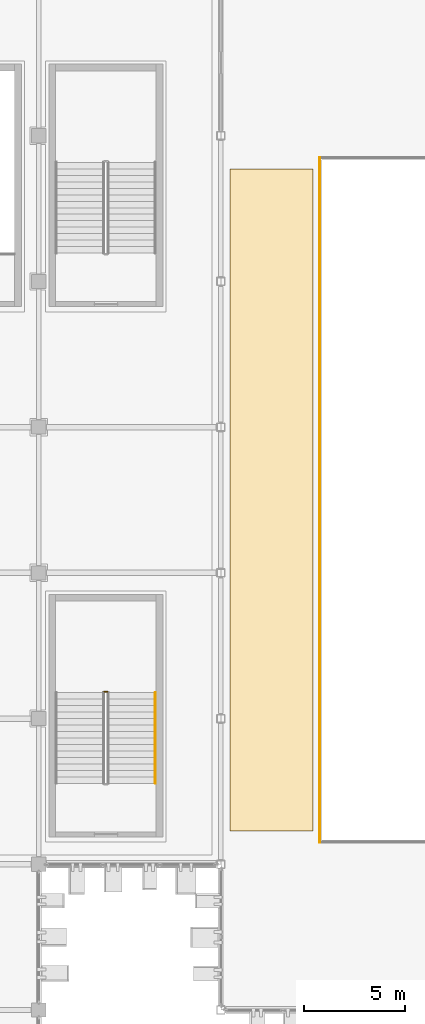
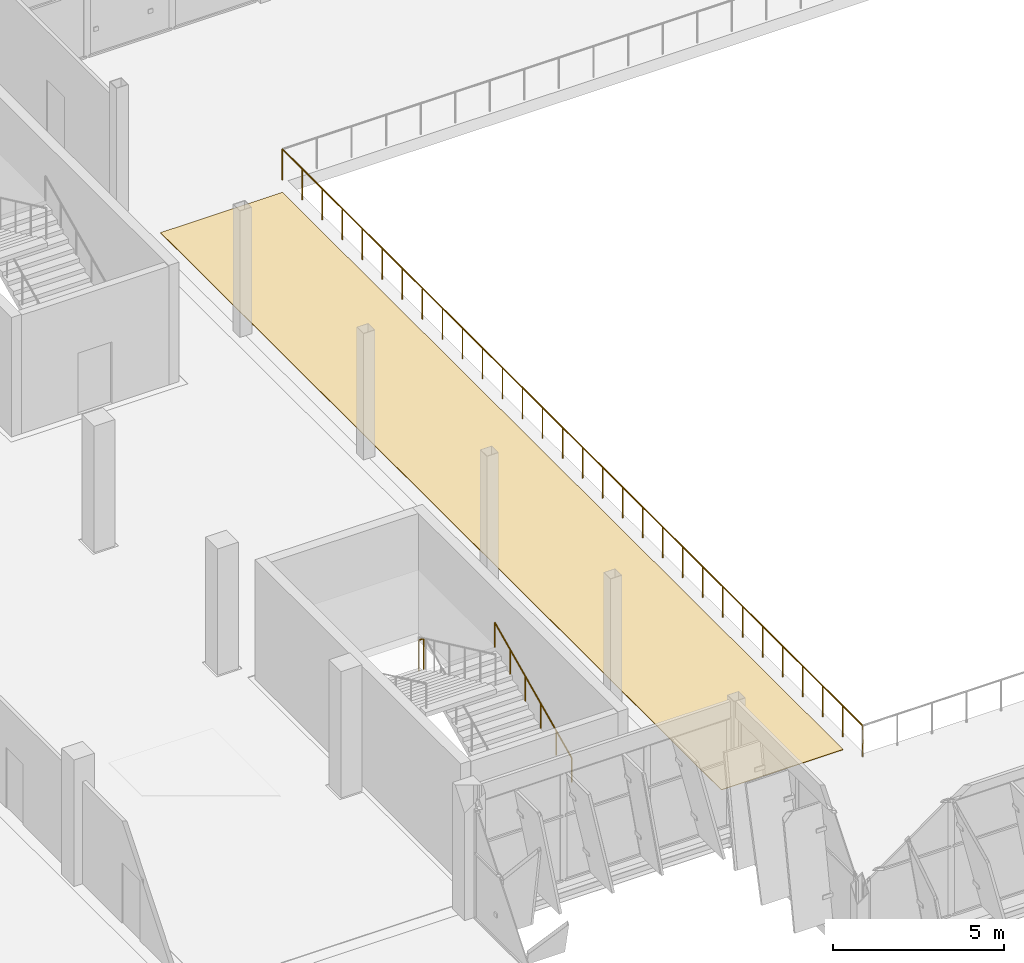
# One storey, part 146 of 151: 3 railings, 1 covering.
"""IFC4 building model written with IfcOpenShell, lengths in metres."""

import ifcopenshell
import ifcopenshell.guid

model = None  # the IFC model being written
_history = None  # IfcOwnerHistory: only IFC2X3 demands one
_inside = {}  # id of a spatial element -> (the spatial element, [elements in it])
_under = {}  # id of a project, library or spatial element -> (it, [spatial elements below it])
_declared = {}  # id of a project -> (the project, [libraries it declares])
_typed = {}  # id of a type object -> (the type object, [elements of that type])
_made_of = {}  # id of a material, layer set ... -> (it, [elements and type objects made of it])


def new_model(schema):
    """Start an empty IFC model of exactly this schema.

    Asked for "IFC4X3", IfcOpenShell would pick the latest addendum, in which some entities
    have other attributes; the version numbers below select the first issue.
    IFC2X3 requires an IfcOwnerHistory on every rooted entity: one is made here for all.
    """
    global model, _history
    if schema == "IFC4X3":
        model = ifcopenshell.file(schema_version=(4, 3, 0, 0))
    else:
        model = ifcopenshell.file(schema=schema)
    _inside.clear()
    _under.clear()
    _declared.clear()
    _typed.clear()
    _made_of.clear()
    _history = None
    if model.schema == "IFC2X3":
        org = make("IfcOrganization", Name="unknown")
        user = make(
            "IfcPersonAndOrganization",
            ThePerson=make("IfcPerson", FamilyName="unknown"),
            TheOrganization=org,
        )
        app = make(
            "IfcApplication",
            ApplicationDeveloper=org,
            Version="unknown",
            ApplicationFullName="unknown",
            ApplicationIdentifier="unknown",
        )
        _history = make(
            "IfcOwnerHistory",
            OwningUser=user,
            OwningApplication=app,
            ChangeAction="ADDED",
            CreationDate=0,
        )
    return model


def make(cls, **values):
    """One entity of the class cls with the attributes given. An attribute that is None is left unset."""
    return model.create_entity(
        cls, **{name: value for name, value in values.items() if value is not None}
    )


def rooted(cls, **values):
    """An entity with a GlobalId (a new one), such as an element, a storey or a relation."""
    return make(cls, GlobalId=ifcopenshell.guid.new(), OwnerHistory=_history, **values)


def si_unit(unit_type, name, prefix=None):
    """IfcSIUnit, for example si_unit("LENGTHUNIT", "METRE", prefix="MILLI")."""
    return make("IfcSIUnit", UnitType=unit_type, Prefix=prefix, Name=name)


def assignment(units):
    """IfcUnitAssignment: the units of a project."""
    return None if units is None else make("IfcUnitAssignment", Units=units)


def point(xyz):
    """IfcCartesianPoint."""
    return None if xyz is None else make("IfcCartesianPoint", Coordinates=xyz)


def direction(xyz):
    """IfcDirection."""
    return None if xyz is None else make("IfcDirection", DirectionRatios=xyz)


def frame(location, z_axis=None, x_axis=None):
    """IfcAxis2Placement3D, a coordinate frame: its origin and axes. An axis left out is left unset."""
    return make(
        "IfcAxis2Placement3D",
        Location=point(location),
        Axis=direction(z_axis),
        RefDirection=direction(x_axis),
    )


def frame_2d(location, x_axis=None):
    """IfcAxis2Placement2D, a coordinate frame in the plane: its origin and x axis."""
    return make(
        "IfcAxis2Placement2D", Location=point(location), RefDirection=direction(x_axis)
    )


def origin():
    """The frame at (0, 0, 0) with its axes left unset."""
    return frame((0.0, 0.0, 0.0))


def origin_2d():
    """The frame at (0, 0) in the plane with its x axis left unset."""
    return frame_2d((0.0, 0.0))


def place(relative_to, where):
    """IfcLocalPlacement: puts the frame where relative to a parent placement (None: the world)."""
    return make(
        "IfcLocalPlacement", PlacementRelTo=relative_to, RelativePlacement=where
    )


def context(
    kind, dimensions, precision=None, world=None, true_north=None, identifier=None
):
    """IfcGeometricRepresentationContext, for example the 3D "Model" context."""
    return make(
        "IfcGeometricRepresentationContext",
        ContextIdentifier=identifier,
        ContextType=kind,
        CoordinateSpaceDimension=dimensions,
        Precision=precision,
        WorldCoordinateSystem=world,
        TrueNorth=true_north,
    )


def subcontext(parent, identifier, kind, view, scale=None):
    """IfcGeometricRepresentationSubContext, for example "Body" below "Model"."""
    return make(
        "IfcGeometricRepresentationSubContext",
        ContextIdentifier=identifier,
        ContextType=kind,
        ParentContext=parent,
        TargetScale=scale,
        TargetView=view,
    )


def project(units=None, contexts=None):
    """IfcProject with its units and contexts."""
    return rooted(
        "IfcProject",
        Name="project",
        RepresentationContexts=contexts,
        UnitsInContext=assignment(units),
    )


def spatial(cls, under=None, at=None, **own):
    """A site, building, storey or space (cls), placed at a placement, below another one or the project."""
    s = rooted(cls, ObjectPlacement=at, **own)
    if under is not None:
        _under.setdefault(under.id(), (under, []))[1].append(s)
    return s


def polyline(points):
    """IfcPolyline through the points."""
    return make("IfcPolyline", Points=[point(p) for p in points])


def profile(cls, at=None, kind="AREA", **sizes):
    """A parametric profile (cls). Its sizes go by their IFC names, for example OverallWidth=200.0."""
    return make(cls, ProfileType=kind, Position=at, **sizes)


def circle(**sizes):
    """IfcCircleProfileDef."""
    return profile("IfcCircleProfileDef", **sizes)


def outline(outer, holes=None, kind="AREA"):
    """IfcArbitraryClosedProfileDef: a profile drawn as a closed curve; with holes, ...WithVoids."""
    if holes is None:
        return make("IfcArbitraryClosedProfileDef", ProfileType=kind, OuterCurve=outer)
    return make(
        "IfcArbitraryProfileDefWithVoids",
        ProfileType=kind,
        OuterCurve=outer,
        InnerCurves=holes,
    )


def extrude(swept, where, along, depth):
    """IfcExtrudedAreaSolid: the profile swept, set in the frame where, extruded along a direction by depth."""
    return make(
        "IfcExtrudedAreaSolid",
        SweptArea=swept,
        Position=where,
        ExtrudedDirection=direction(along),
        Depth=depth,
    )


def shape(context_of_items, identifier, shape_type, items):
    """IfcShapeRepresentation: the items that make up one representation, for example the "Body"."""
    return make(
        "IfcShapeRepresentation",
        ContextOfItems=context_of_items,
        RepresentationIdentifier=identifier,
        RepresentationType=shape_type,
        Items=items,
    )


def material(Name=None, Category=None):
    """IfcMaterial."""
    return make("IfcMaterial", Name=Name, Category=Category)


def layer(
    of_material, thickness, ventilated=None, Name=None, Category=None, Priority=None
):
    """IfcMaterialLayer: one layer of a wall or slab, of a material (None: an air gap)."""
    return make(
        "IfcMaterialLayer",
        Material=of_material,
        LayerThickness=thickness,
        IsVentilated=ventilated,
        Name=Name,
        Category=Category,
        Priority=Priority,
    )


def layer_set(layers, Name=None):
    """IfcMaterialLayerSet."""
    return make("IfcMaterialLayerSet", MaterialLayers=layers, LayerSetName=Name)


def made_of(thing, what):
    """Note that an element or type object is made of a material, layer set ...; save() writes the relation."""
    if what is not None:
        _made_of.setdefault(what.id(), (what, []))[1].append(thing)
    return thing


def type_object(cls, material=None, **own):
    """A type object (cls), such as IfcWallType, which elements share."""
    return made_of(rooted(cls, **own), material)


def element(
    cls,
    number,
    at=None,
    inside=None,
    cuts=None,
    type_object=None,
    material=None,
    context=None,
    identifier="Body",
    shape_type=None,
    held_by="IfcProductDefinitionShape",
    body=None,
    shapes=None,
    **own,
):
    """One element of the class cls, such as IfcWall. Its Tag is "e" and its number.

    at: its placement. inside: the storey or other place that contains it. cuts: it is an
    opening in that element (IfcRelVoidsElement). A single representation is given by context,
    identifier, shape_type and body (its items); several are given by shapes. held_by: the class
    of the entity that holds the representations. save() writes the other relations.
    """
    e = rooted(cls, Tag="e%d" % number, ObjectPlacement=at, **own)
    if body is not None:
        shapes = [shape(context, identifier, shape_type, body)]
    if shapes is not None:
        e.Representation = make(held_by, Representations=shapes)
    if inside is not None:
        _inside.setdefault(inside.id(), (inside, []))[1].append(e)
    if cuts is not None:
        rooted(
            "IfcRelVoidsElement", RelatingBuildingElement=cuts, RelatedOpeningElement=e
        )
    if type_object is not None:
        _typed.setdefault(type_object.id(), (type_object, []))[1].append(e)
    return made_of(e, material)


def aggregate(whole, parts):
    """IfcRelAggregates: a whole, such as a stair, and the parts it consists of."""
    return rooted("IfcRelAggregates", RelatingObject=whole, RelatedObjects=parts)


def save(model, path):
    """Write the relations noted so far, then the file.

    IfcRelAggregates (storeys below a building ...), IfcRelContainedInSpatialStructure (elements
    in a storey), IfcRelDefinesByType, IfcRelAssociatesMaterial and IfcRelDeclares: one each for
    every whole, place, type object, material and project.
    """
    for whole, parts in _under.values():
        aggregate(whole, parts)
    for where, things in _inside.values():
        rooted(
            "IfcRelContainedInSpatialStructure",
            RelatedElements=things,
            RelatingStructure=where,
        )
    for kind, things in _typed.values():
        rooted("IfcRelDefinesByType", RelatedObjects=things, RelatingType=kind)
    for what, things in _made_of.values():
        rooted("IfcRelAssociatesMaterial", RelatedObjects=things, RelatingMaterial=what)
    for by, libraries in _declared.values():
        rooted("IfcRelDeclares", RelatingContext=by, RelatedDefinitions=libraries)
    model.write(path)


model = new_model("IFC4")

# Units and contexts
model_context = context("Model", 3, precision=1e-05, world=origin(), true_north=direction((0.0, 1.0)))
body_context = subcontext(model_context, "Body", "Model", "MODEL_VIEW")
ifc_project = project(units=[si_unit("LENGTHUNIT", "METRE"), si_unit("AREAUNIT", "SQUARE_METRE"), si_unit("VOLUMEUNIT", "CUBIC_METRE"), si_unit("PLANEANGLEUNIT", "RADIAN"), si_unit("MASSUNIT", "GRAM", prefix="KILO")], contexts=[model_context])

# Site, building, storey
site_placement = place(None, origin())
site = spatial("IfcSite", under=ifc_project, at=site_placement, CompositionType="ELEMENT")
building_placement = place(site_placement, origin())
building = spatial("IfcBuilding", under=site, at=building_placement, Name="Celestram Park Convention Centre", CompositionType="ELEMENT")
storey_placement = place(building_placement, frame((0.0, 0.0, 10.800048828125)))
storey = spatial("IfcBuildingStorey", under=building, at=storey_placement, Name="L02", CompositionType="ELEMENT", Elevation=10.800048828125)

# Covering
ifc_material_1 = material(Name="Polished Lakefront Aggregate Terrazzo Flooring", Category="concrete")
ifc_layer_1 = layer(ifc_material_1, 0.02001953125)
ifc_layer_set_1 = layer_set([ifc_layer_1], Name="Polished Lakefront Aggregate Terrazzo Flooring")
covering_type = type_object("IfcCoveringType", Name="ARC-COV-FLR020", PredefinedType="FLOORING", material=ifc_layer_set_1)
covering_placement = place(storey_placement, origin())
element("IfcCovering", 1, at=covering_placement, inside=storey, type_object=covering_type, Name="Plenary Balcony West Foyer terrazzo flooring", PredefinedType="FLOORING", context=body_context, shape_type="SweptSolid", body=[
    extrude(outline(polyline([(157.550048828125, 156.75), (157.550048828125, 124.050048828125), (153.449951171875, 124.050048828125), (153.449951171875, 156.75), (157.550048828125, 156.75)])), origin(), (0.0, 0.0, 1.0), 0.02001953125),
])

# Railings
ifc_material_2 = material(Name="Powder-Coated Steel ASTM A500 Grade B", Category="steel")
ifc_layer_2 = layer(ifc_material_2, 0.06005859375)
ifc_layer_set_2 = layer_set([ifc_layer_2], Name="Powder-Coated Steel ASTM A500 Grade B")
railing_type_1 = type_object("IfcRailingType", Name="ARC-RL-BAL1120", PredefinedType="BALUSTRADE", material=ifc_layer_set_2)
railing_1_placement = place(storey_placement, frame((157.8798828125, 157.320068359375, 0.0)))
element("IfcRailing", 2, at=railing_1_placement, inside=storey, type_object=railing_type_1, Name="Atrium/balcony balustrade RL-L02-VB030", PredefinedType="BALUSTRADE", context=body_context, shape_type="SweptSolid", body=[
    extrude(circle(Radius=0.02392578125, at=origin_2d()), frame((0.0, 0.0, 1.09619140625), z_axis=(0.0, -1.0, 0.0), x_axis=(1.0, 0.0, 0.0)), (0.0, 0.0, 1.0), 33.840087890625),
    extrude(circle(Radius=0.02099609375, at=origin_2d()), origin(), (0.0, 0.0, 1.0), 1.072021484375),
    extrude(circle(Radius=0.02099609375, at=origin_2d()), frame((0.0, -1.1669921875, 0.0)), (0.0, 0.0, 1.0), 1.072021484375),
    extrude(circle(Radius=0.02099609375, at=origin_2d()), frame((0.0, -2.333740234375, 0.0)), (0.0, 0.0, 1.0), 1.072021484375),
    extrude(circle(Radius=0.02099609375, at=origin_2d()), frame((0.0, -3.500732421875, 0.0)), (0.0, 0.0, 1.0), 1.072021484375),
    extrude(circle(Radius=0.02099609375, at=origin_2d()), frame((0.0, -4.66748046875, 0.0)), (0.0, 0.0, 1.0), 1.072021484375),
    extrude(circle(Radius=0.02099609375, at=origin_2d()), frame((0.0, -5.83447265625, 0.0)), (0.0, 0.0, 1.0), 1.072021484375),
    extrude(circle(Radius=0.02099609375, at=origin_2d()), frame((0.0, -7.00146484375, 0.0)), (0.0, 0.0, 1.0), 1.072021484375),
    extrude(circle(Radius=0.02099609375, at=origin_2d()), frame((0.0, -8.168212890625, 0.0)), (0.0, 0.0, 1.0), 1.072021484375),
    extrude(circle(Radius=0.02099609375, at=origin_2d()), frame((0.0, -9.335205078125, 0.0)), (0.0, 0.0, 1.0), 1.072021484375),
    extrude(circle(Radius=0.02099609375, at=origin_2d()), frame((0.0, -10.502197265625, 0.0)), (0.0, 0.0, 1.0), 1.072021484375),
    extrude(circle(Radius=0.02099609375, at=origin_2d()), frame((0.0, -11.6689453125, 0.0)), (0.0, 0.0, 1.0), 1.072021484375),
    extrude(circle(Radius=0.02099609375, at=origin_2d()), frame((0.0, -12.8359375, 0.0)), (0.0, 0.0, 1.0), 1.072021484375),
    extrude(circle(Radius=0.02099609375, at=origin_2d()), frame((0.0, -14.002685546875, 0.0)), (0.0, 0.0, 1.0), 1.072021484375),
    extrude(circle(Radius=0.02099609375, at=origin_2d()), frame((0.0, -15.169677734375, 0.0)), (0.0, 0.0, 1.0), 1.072021484375),
    extrude(circle(Radius=0.02099609375, at=origin_2d()), frame((0.0, -16.336669921875, 0.0)), (0.0, 0.0, 1.0), 1.072021484375),
    extrude(circle(Radius=0.02099609375, at=origin_2d()), frame((0.0, -17.50341796875, 0.0)), (0.0, 0.0, 1.0), 1.072021484375),
    extrude(circle(Radius=0.02099609375, at=origin_2d()), frame((0.0, -18.67041015625, 0.0)), (0.0, 0.0, 1.0), 1.072021484375),
    extrude(circle(Radius=0.02099609375, at=origin_2d()), frame((0.0, -19.83740234375, 0.0)), (0.0, 0.0, 1.0), 1.072021484375),
    extrude(circle(Radius=0.02099609375, at=origin_2d()), frame((0.0, -21.004150390625, 0.0)), (0.0, 0.0, 1.0), 1.072021484375),
    extrude(circle(Radius=0.02099609375, at=origin_2d()), frame((0.0, -22.171142578125, 0.0)), (0.0, 0.0, 1.0), 1.072021484375),
    extrude(circle(Radius=0.02099609375, at=origin_2d()), frame((0.0, -23.337890625, 0.0)), (0.0, 0.0, 1.0), 1.072021484375),
    extrude(circle(Radius=0.02099609375, at=origin_2d()), frame((0.0, -24.5048828125, 0.0)), (0.0, 0.0, 1.0), 1.072021484375),
    extrude(circle(Radius=0.02099609375, at=origin_2d()), frame((0.0, -25.671875, 0.0)), (0.0, 0.0, 1.0), 1.072021484375),
    extrude(circle(Radius=0.02099609375, at=origin_2d()), frame((0.0, -26.838623046875, 0.0)), (0.0, 0.0, 1.0), 1.072021484375),
    extrude(circle(Radius=0.02099609375, at=origin_2d()), frame((0.0, -28.005615234375, 0.0)), (0.0, 0.0, 1.0), 1.072021484375),
    extrude(circle(Radius=0.02099609375, at=origin_2d()), frame((0.0, -29.172607421875, 0.0)), (0.0, 0.0, 1.0), 1.072021484375),
    extrude(circle(Radius=0.02099609375, at=origin_2d()), frame((0.0, -30.33935546875, 0.0)), (0.0, 0.0, 1.0), 1.072021484375),
    extrude(circle(Radius=0.02099609375, at=origin_2d()), frame((0.0, -31.50634765625, 0.0)), (0.0, 0.0, 1.0), 1.072021484375),
    extrude(circle(Radius=0.02099609375, at=origin_2d()), frame((0.0, -32.673095703125, 0.0)), (0.0, 0.0, 1.0), 1.072021484375),
    extrude(circle(Radius=0.02099609375, at=origin_2d()), frame((0.0, -33.840087890625, 0.0)), (0.0, 0.0, 1.0), 1.072021484375),
])
ifc_material_3 = material(Name="Stainless Steel AISI 316L & Laminated Glass", Category="steel")
ifc_layer_3 = layer(ifc_material_3, 0.06005859375)
ifc_layer_set_3 = layer_set([ifc_layer_3], Name="Stainless Steel AISI 316L & Laminated Glass")
railing_type_2 = type_object("IfcRailingType", Name="ARC-RL-GRD1120", PredefinedType="GUARDRAIL", material=ifc_layer_set_3)
railing_2_placement = place(storey_placement, frame((147.39990234375, 130.929931640625, 2.25)))
element("IfcRailing", 3, at=railing_2_placement, inside=storey, type_object=railing_type_2, Name="L02 ST-10 stair guard 2", PredefinedType="GUARDRAIL", context=body_context, shape_type="SweptSolid", body=[
    extrude(circle(Radius=0.02392578125, at=origin_2d()), frame((0.0, 0.0, 1.09619140625), z_axis=(-1.0, 0.0, 0.0), x_axis=(0.0, -1.0, 0.0)), (0.0, 0.0, 1.0), 0.159912109375),
    extrude(circle(Radius=0.02099609375, at=origin_2d()), origin(), (0.0, 0.0, 1.0), 1.072021484375),
    extrude(circle(Radius=0.02099609375, at=origin_2d()), frame((-0.159912109375, 0.0, 0.0)), (0.0, 0.0, 1.0), 1.072021484375),
])
ifc_material_4 = material(Name="Brushed Stainless Steel AISI 304", Category="steel")
ifc_layer_4 = layer(ifc_material_4, 0.048095703125)
ifc_layer_set_4 = layer_set([ifc_layer_4], Name="Brushed Stainless Steel AISI 304")
railing_type_3 = type_object("IfcRailingType", Name="ARC-RL-HND915", PredefinedType="HANDRAIL", material=ifc_layer_set_4)
railing_3_placement = place(storey_placement, frame((149.763916015625, 126.39990234375, 0.14990234375)))
element("IfcRailing", 4, at=railing_3_placement, inside=storey, type_object=railing_type_3, Name="L02 ST-10 stair handrail 1", PredefinedType="HANDRAIL", context=body_context, shape_type="SweptSolid", body=[
    extrude(circle(Radius=0.02392578125, at=origin_2d()), frame((0.0, 0.0, 0.8759765625), z_axis=(0.0, 0.905450639465, 0.424451574969), x_axis=(-1.0, 0.0, 0.0)), (0.0, 0.0, 1.0), 4.94775390625),
    extrude(circle(Radius=0.02099609375, at=origin_2d()), origin(), (0.0, 0.0, 1.0), 0.851806640625),
    extrude(circle(Radius=0.02099609375, at=origin_2d()), frame((0.0, 0.89599609375, 0.419921875)), (0.0, 0.0, 1.0), 0.851806640625),
    extrude(circle(Radius=0.02099609375, at=origin_2d()), frame((0.0, 1.7919921875, 0.840087890625)), (0.0, 0.0, 1.0), 0.851806640625),
    extrude(circle(Radius=0.02099609375, at=origin_2d()), frame((0.0, 2.68798828125, 1.260009765625)), (0.0, 0.0, 1.0), 0.851806640625),
    extrude(circle(Radius=0.02099609375, at=origin_2d()), frame((0.0, 3.583984375, 1.68017578125)), (0.0, 0.0, 1.0), 0.851806640625),
    extrude(circle(Radius=0.02099609375, at=origin_2d()), frame((0.0, 4.47998046875, 2.10009765625)), (0.0, 0.0, 1.0), 0.851806640625),
])

save(model, "model.ifc")
